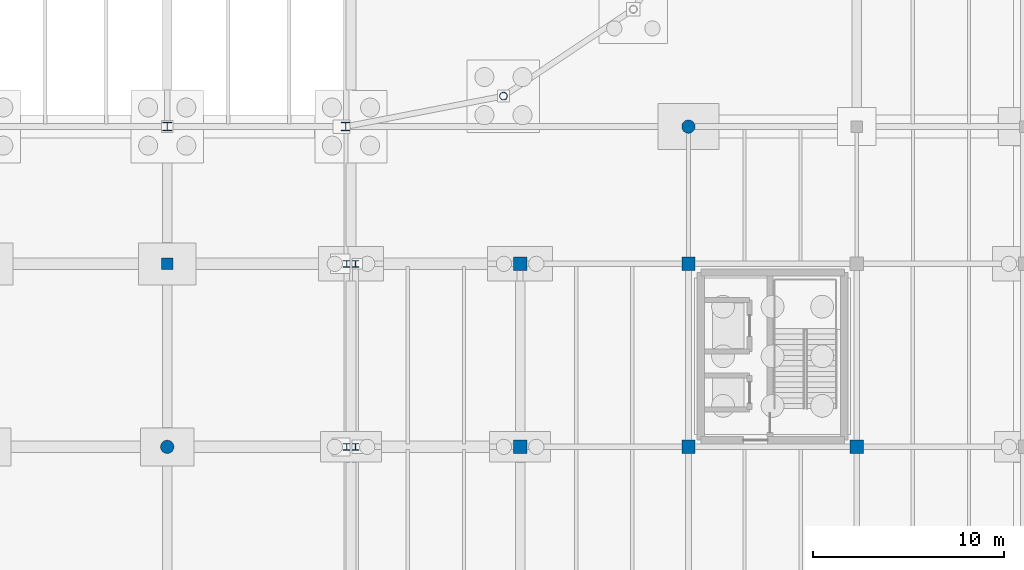
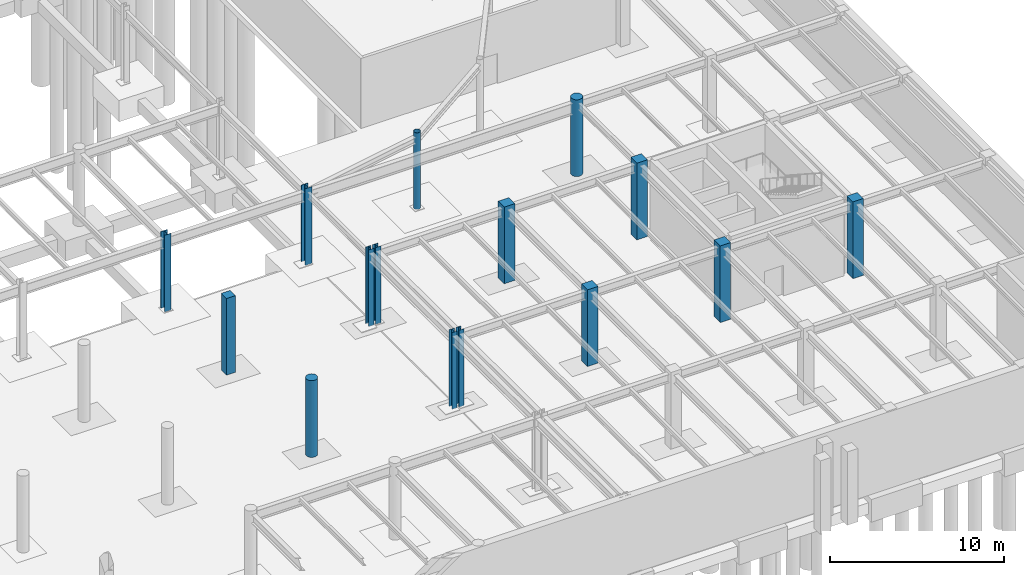
# One storey, part 25 of 50: 15 columns.
"""IFC4 building model written with IfcOpenShell, lengths in metres."""

from ifc_helpers import new_model, si_unit, direction, frame, origin, origin_2d, place, context, subcontext, project, spatial, rectangle, circle, hollow_circle, i_section, extrude, material, material_profile, profile_set, type_object, element, save


model = new_model("IFC4")

# Units and contexts
model_context = context("Model", 3, precision=1e-05, world=origin(), true_north=direction((0.0, 1.0)))
body_context = subcontext(model_context, "Body", "Model", "MODEL_VIEW")
ifc_project = project(units=[si_unit("LENGTHUNIT", "METRE"), si_unit("AREAUNIT", "SQUARE_METRE"), si_unit("VOLUMEUNIT", "CUBIC_METRE"), si_unit("PLANEANGLEUNIT", "RADIAN"), si_unit("MASSUNIT", "GRAM", prefix="KILO")], contexts=[model_context])

# Site, building, storey
site_placement = place(None, origin())
site = spatial("IfcSite", under=ifc_project, at=site_placement, CompositionType="ELEMENT")
building_placement = place(site_placement, origin())
building = spatial("IfcBuilding", under=site, at=building_placement, Name="Yeouljin Market Hall", CompositionType="ELEMENT")
storey_placement = place(building_placement, frame((0.0, 0.0, -5.39990234375)))
storey = spatial("IfcBuildingStorey", under=building, at=storey_placement, Name="B1", CompositionType="ELEMENT", Elevation=-5.39990234375)

# Columns
ifc_material_1 = material(Name="Steel SM355", Category="steel")
ifc_material_profile_1 = material_profile(ifc_material_1, hollow_circle(Radius=0.203125, WallThickness=0.011962890625, at=origin_2d()), Name="CHS-406.4x12")
ifc_profile_set_1 = profile_set([ifc_material_profile_1], Name="Steel SM355")
column_type_1 = type_object("IfcColumnType", Name="Col_CHS-406.4x12", PredefinedType="COLUMN", material=ifc_profile_set_1)
column_1_placement = place(storey_placement, frame((149.036376953125, 37.598388671875, 0.0), z_axis=(0.0, 0.0, 1.0), x_axis=(1.0, 0.0, 0.0)))
element("IfcColumn", 1, at=column_1_placement, inside=storey, type_object=column_type_1, Name="Column AP-E02 (B1)", PredefinedType="COLUMN", context=body_context, shape_type="SweptSolid", body=[
    extrude(hollow_circle(Radius=0.203125, WallThickness=0.011962890625, at=origin_2d()), origin(), (0.0, 0.0, 1.0), 5.39990234375),
])
ifc_material_2 = material(Name="Steel SM355", Category="steel")
ifc_material_profile_2 = material_profile(ifc_material_2, i_section(OverallWidth=0.35009765625, OverallDepth=0.35009765625, WebThickness=0.011962890625, FlangeThickness=0.01904296875, FilletRadius=0.02001953125, at=origin_2d()), Name="H-350x350x12x19")
ifc_profile_set_2 = profile_set([ifc_material_profile_2], Name="Steel SM355")
column_type_2 = type_object("IfcColumnType", Name="Col_H-350x350x12x19", PredefinedType="COLUMN", material=ifc_profile_set_2)
for number, where, z_axis, x_axis, name in (
    (2, (140.81005859375, 19.199951171875, 0.0), (0.0, 0.0, 1.0), (1.0, 0.0, 0.0), "Column G-16-02 (B1)"),
    (3, (140.81005859375, 28.800048828125, 0.0), (0.0, 0.0, 1.0), (1.0, 0.0, 0.0), "Column G-16-03 (B1)"),
    (4, (141.27001953125, 19.199951171875, 0.0), (0.0, 0.0, 1.0), (1.0, 0.0, 0.0), "Column G-17-02 (B1)"),
    (5, (141.27001953125, 28.800048828125, 0.0), (0.0, 0.0, 1.0), (1.0, 0.0, 0.0), "Column G-17-03 (B1)"),
):
    element("IfcColumn", number, at=place(storey_placement, frame(where, z_axis=z_axis, x_axis=x_axis)), inside=storey, type_object=column_type_2, Name=name, PredefinedType="COLUMN", context=body_context, shape_type="SweptSolid", body=[
        extrude(i_section(OverallWidth=0.35009765625, OverallDepth=0.35009765625, WebThickness=0.011962890625, FlangeThickness=0.01904296875, FilletRadius=0.02001953125, at=origin_2d()), origin(), (0.0, 0.0, 1.0), 5.39990234375),
    ])
ifc_material_3 = material(Name="Steel SM355", Category="steel")
ifc_material_profile_3 = material_profile(ifc_material_3, i_section(OverallWidth=0.449951171875, OverallDepth=0.449951171875, WebThickness=0.013916015625, FlangeThickness=0.02392578125, FilletRadius=0.02392578125, at=origin_2d()), Name="H-450x450x14x24")
ifc_profile_set_3 = profile_set([ifc_material_profile_3], Name="Steel SM355")
column_type_3 = type_object("IfcColumnType", Name="Col_H-450x450x14x24", PredefinedType="COLUMN", material=ifc_profile_set_3)
for number, where, z_axis, x_axis, name in (
    (6, (131.39990234375, 36.0, 0.0), (0.0, 0.0, 1.0), (1.0, 0.0, 0.0), "Column G-15-04 (B1)"),
    (7, (140.760009765625, 36.0, 0.0), (0.0, 0.0, 1.0), (1.0, 0.0, 0.0), "Column G-16-04 (B1)"),
):
    element("IfcColumn", number, at=place(storey_placement, frame(where, z_axis=z_axis, x_axis=x_axis)), inside=storey, type_object=column_type_3, Name=name, PredefinedType="COLUMN", context=body_context, shape_type="SweptSolid", body=[
        extrude(i_section(OverallWidth=0.449951171875, OverallDepth=0.449951171875, WebThickness=0.013916015625, FlangeThickness=0.02392578125, FilletRadius=0.02392578125, at=origin_2d()), origin(), (0.0, 0.0, 1.0), 5.39990234375),
    ])
ifc_material_4 = material(Name="Concrete C35/45", Category="concrete")
ifc_material_profile_4 = material_profile(ifc_material_4, rectangle(XDim=0.60009765625, YDim=0.60009765625, at=origin_2d()), Name="RC-600x600")
ifc_profile_set_4 = profile_set([ifc_material_profile_4], Name="Concrete C35/45")
column_type_4 = type_object("IfcColumnType", Name="Col_RC-600x600", PredefinedType="COLUMN", material=ifc_profile_set_4)
column_2_placement = place(storey_placement, frame((131.39990234375, 28.800048828125, 0.0), z_axis=(0.0, 0.0, 1.0), x_axis=(1.0, 0.0, 0.0)))
element("IfcColumn", 8, at=column_2_placement, inside=storey, type_object=column_type_4, Name="Column G-15-03 (B1)", PredefinedType="COLUMN", context=body_context, shape_type="SweptSolid", body=[
    extrude(rectangle(XDim=0.60009765625, YDim=0.60009765625, at=origin_2d()), origin(), (0.0, 0.0, 1.0), 5.39990234375),
])
ifc_material_5 = material(Name="Concrete C35/45", Category="concrete")
ifc_material_profile_5 = material_profile(ifc_material_5, rectangle(XDim=0.699951171875, YDim=0.699951171875, at=origin_2d()), Name="RC-700x700")
ifc_profile_set_5 = profile_set([ifc_material_profile_5], Name="Concrete C35/45")
column_type_5 = type_object("IfcColumnType", Name="Col_RC-700x700", PredefinedType="COLUMN", material=ifc_profile_set_5)
for number, where, z_axis, x_axis, name in (
    (9, (149.909912109375, 19.199951171875, 0.0), (0.0, 0.0, 1.0), (1.0, 0.0, 0.0), "Column G-18-02 (B1)"),
    (10, (149.909912109375, 28.800048828125, 0.0), (0.0, 0.0, 1.0), (1.0, 0.0, 0.0), "Column G-18-03 (B1)"),
    (11, (158.739990234375, 19.199951171875, 0.0), (0.0, 0.0, 1.0), (1.0, 0.0, 0.0), "Column G-19-02 (B1)"),
    (12, (158.739990234375, 28.800048828125, 0.0), (0.0, 0.0, 1.0), (1.0, 0.0, 0.0), "Column G-19-03 (B1)"),
    (13, (167.570068359375, 19.199951171875, 0.0), (0.0, 0.0, 1.0), (1.0, 0.0, 0.0), "Column G-20-02 (B1)"),
):
    element("IfcColumn", number, at=place(storey_placement, frame(where, z_axis=z_axis, x_axis=x_axis)), inside=storey, type_object=column_type_5, Name=name, PredefinedType="COLUMN", context=body_context, shape_type="SweptSolid", body=[
        extrude(rectangle(XDim=0.699951171875, YDim=0.699951171875, at=origin_2d()), origin(), (0.0, 0.0, 1.0), 5.39990234375),
    ])
ifc_material_6 = material(Name="Concrete C35/45", Category="concrete")
ifc_material_profile_6 = material_profile(ifc_material_6, circle(Radius=0.35009765625, at=origin_2d()), Name="RC-D700")
ifc_profile_set_6 = profile_set([ifc_material_profile_6], Name="Concrete C35/45")
column_type_6 = type_object("IfcColumnType", Name="Col_RC-D700", PredefinedType="COLUMN", material=ifc_profile_set_6)
for number, where, z_axis, x_axis, name in (
    (14, (131.39990234375, 19.199951171875, 0.0), (0.0, 0.0, 1.0), (1.0, 0.0, 0.0), "Column G-15-02 (B1)"),
    (15, (158.739990234375, 36.0, 0.0), (0.0, 0.0, 1.0), (1.0, 0.0, 0.0), "Column G-19-04 (B1)"),
):
    element("IfcColumn", number, at=place(storey_placement, frame(where, z_axis=z_axis, x_axis=x_axis)), inside=storey, type_object=column_type_6, Name=name, PredefinedType="COLUMN", context=body_context, shape_type="SweptSolid", body=[
        extrude(circle(Radius=0.35009765625, at=origin_2d()), origin(), (0.0, 0.0, 1.0), 5.39990234375),
    ])

save(model, "model.ifc")
